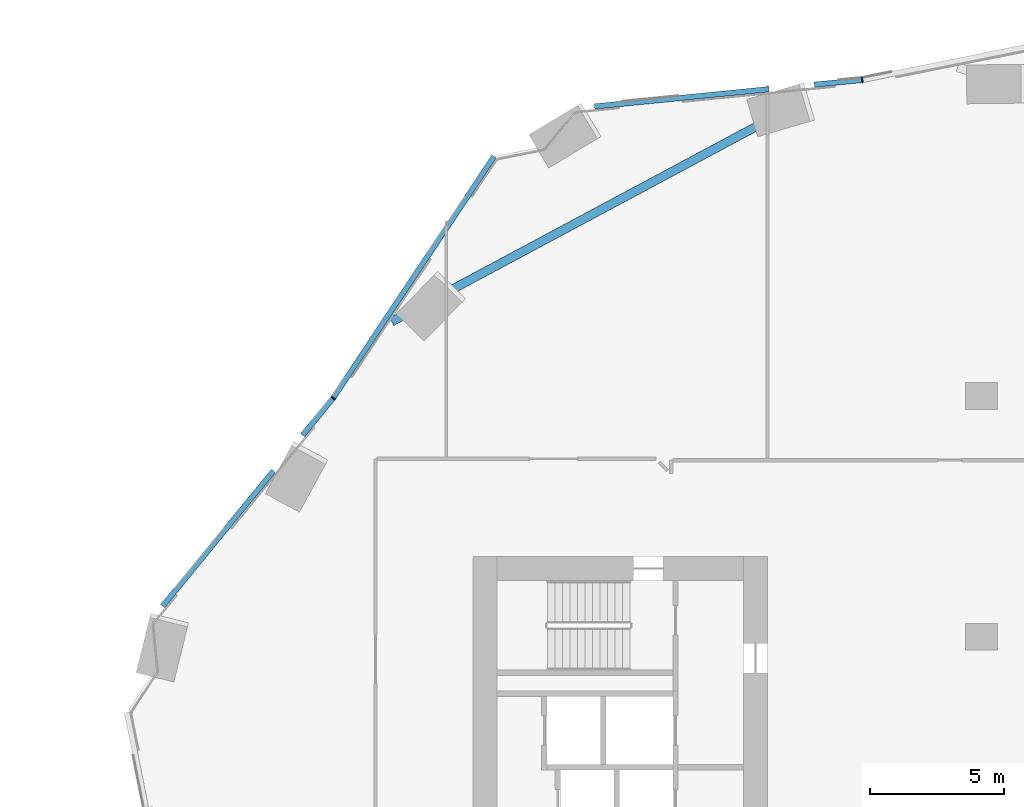
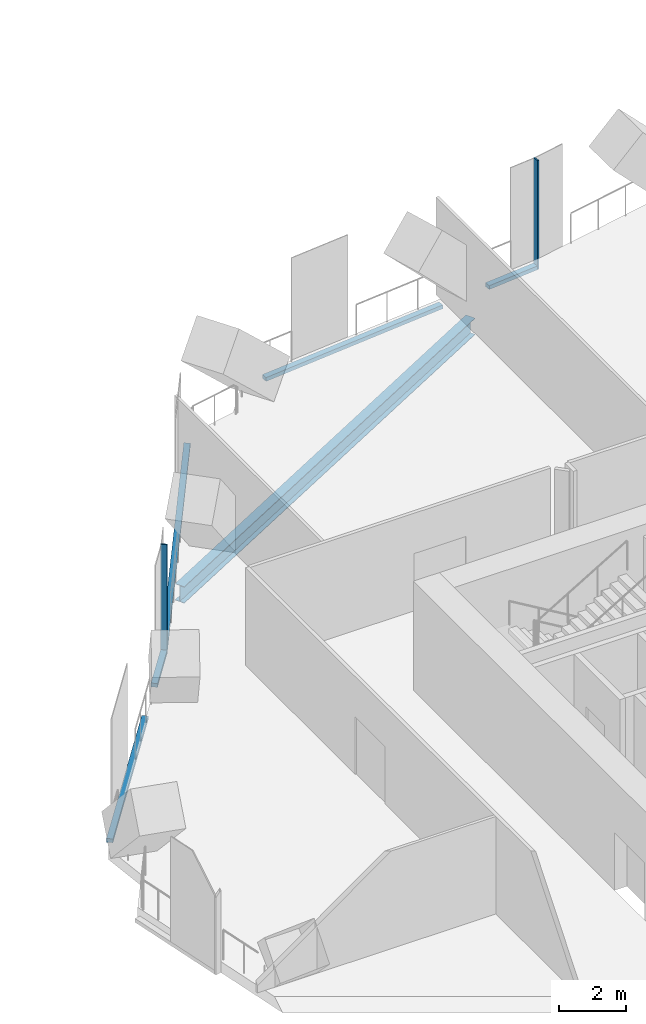
# One storey, part 12 of 31: 7 members, 1 beam, 4 elements without a shape of their own.
"""IFC4 building model written with IfcOpenShell, lengths in metres."""

from ifc_helpers import new_model, si_unit, direction, frame, origin, origin_2d, place, context, subcontext, project, spatial, rectangle, i_section, extrude, material, material_profile, profile_set, type_object, element, aggregate, save


model = new_model("IFC4")

# Units and contexts
model_context = context("Model", 3, precision=1e-05, world=origin(), true_north=direction((0.0, 1.0)))
body_context = subcontext(model_context, "Body", "Model", "MODEL_VIEW")
ifc_project = project(units=[si_unit("LENGTHUNIT", "METRE"), si_unit("AREAUNIT", "SQUARE_METRE"), si_unit("VOLUMEUNIT", "CUBIC_METRE"), si_unit("PLANEANGLEUNIT", "RADIAN"), si_unit("MASSUNIT", "GRAM", prefix="KILO")], contexts=[model_context])

# Site, building, storey
site_placement = place(None, origin())
site = spatial("IfcSite", under=ifc_project, at=site_placement, CompositionType="ELEMENT")
building_placement = place(site_placement, origin())
building = spatial("IfcBuilding", under=site, at=building_placement, Name="Orlundy Tower", CompositionType="ELEMENT")
storey_placement = place(building_placement, frame((0.0, 0.0, 54.800048828125)))
storey = spatial("IfcBuildingStorey", under=building, at=storey_placement, Name="L12", CompositionType="ELEMENT", Elevation=54.800048828125)

# Beam
ifc_material_1 = material(Name="Steel ASTM A992 Gr 50", Category="steel")
ifc_material_profile_1 = material_profile(ifc_material_1, i_section(OverallWidth=0.32373046875, OverallDepth=0.611083984375, WebThickness=0.0126953125, FlangeThickness=0.01904296875, at=origin_2d()), Name="W24X104")
ifc_profile_set_1 = profile_set([ifc_material_profile_1], Name="Steel ASTM A992 Gr 50")
beam_type = type_object("IfcBeamType", Name="CANTILEVER GIRDER beam W24X104", PredefinedType="BEAM", material=ifc_profile_set_1)
beam_placement = place(storey_placement, frame((-22.041015625, 20.7705078125, -0.70556640625), z_axis=(0.881559918095, 0.472072145766, 0.0), x_axis=(-0.472072145766, 0.881559918095, 0.0)))
element("IfcBeam", 1, at=beam_placement, inside=storey, type_object=beam_type, Name="Cantilever girder C-H18 L12", PredefinedType="BEAM", context=body_context, shape_type="SweptSolid", body=[
    extrude(i_section(OverallWidth=0.32373046875, OverallDepth=0.611083984375, WebThickness=0.0126953125, FlangeThickness=0.01904296875, at=origin_2d()), origin(), (0.0, 0.0, 1.0), 16.5673828125),
])

# Curtain wall, member
ifc_material_2 = material(Name="Aluminium bronze anodised", Category="aluminium")
curtain_wall_type = type_object("IfcCurtainWallType", Name="CW5 wall", PredefinedType="NOTDEFINED", material=ifc_material_2)
curtain_wall_1_placement = place(storey_placement, origin())
curtain_wall_1 = element("IfcCurtainWall", 2, at=curtain_wall_1_placement, inside=storey, type_object=curtain_wall_type, Name="CW5 run 017", PredefinedType="NOTDEFINED")
ifc_material_3 = material(Name="Aluminium bronze anodised", Category="aluminium")
ifc_material_profile_2 = material_profile(ifc_material_3, rectangle(XDim=0.199951171875, YDim=0.050048828125, at=origin_2d()), Name="CW5 mullion 50x200")
ifc_profile_set_2 = profile_set([ifc_material_profile_2], Name="Aluminium bronze anodised")
member_type_1 = type_object("IfcMemberType", Name="CW5 mullion 50x200", PredefinedType="MULLION", material=ifc_profile_set_2)
member_1_placement = place(storey_placement, frame((-24.2294921875, 17.920654296875, -0.400146484375), z_axis=(0.0, 0.0, 1.0), x_axis=(-0.803863766705, 0.594813453596, 0.0)))
member_1 = element("IfcMember", 3, at=member_1_placement, type_object=member_type_1, Name="CW5 mullion 32", PredefinedType="MULLION", context=body_context, shape_type="SweptSolid", body=[
    extrude(rectangle(XDim=0.199951171875, YDim=0.050048828125, at=origin_2d()), origin(), (0.0, 0.0, 1.0), 4.0),
])

curtain_wall_2_placement = place(storey_placement, origin())
curtain_wall_2 = element("IfcCurtainWall", 4, at=curtain_wall_2_placement, inside=storey, type_object=curtain_wall_type, Name="CW5 run 021", PredefinedType="NOTDEFINED")
member_2_placement = place(storey_placement, frame((-4.457763671875, 29.804931640625, -0.400146484375), z_axis=(0.0, 0.0, 1.0), x_axis=(-0.147807989638, 0.989016075804, 0.0)))
member_2 = element("IfcMember", 5, at=member_2_placement, type_object=member_type_1, Name="CW5 mullion 38", PredefinedType="MULLION", context=body_context, shape_type="SweptSolid", body=[
    extrude(rectangle(XDim=0.199951171875, YDim=0.050048828125, at=origin_2d()), origin(), (0.0, 0.0, 1.0), 4.0),
])
aggregate(curtain_wall_2, [member_2])

# Curtain wall, members
curtain_wall_3_placement = place(storey_placement, origin())
curtain_wall_3 = element("IfcCurtainWall", 6, at=curtain_wall_3_placement, inside=storey, type_object=curtain_wall_type, Name="CW5 run 016", PredefinedType="NOTDEFINED")
ifc_material_4 = material(Name="Aluminium bronze anodised", Category="aluminium")
ifc_material_profile_3 = material_profile(ifc_material_4, rectangle(XDim=0.199951171875, YDim=0.139892578125, at=origin_2d()), Name="CW5 transom 200x140")
ifc_profile_set_3 = profile_set([ifc_material_profile_3], Name="Aluminium bronze anodised")
member_type_2 = type_object("IfcMemberType", Name="CW5 transom 200x140", PredefinedType="USERDEFINED", material=ifc_profile_set_3)
member_3_placement = place(storey_placement, frame((-30.6005859375, 10.145751953125, -0.330078125), z_axis=(0.633819506363, 0.773480984481, 0.0), x_axis=(-0.773480984481, 0.633819506363, 0.0)))
member_3 = element("IfcMember", 7, at=member_3_placement, type_object=member_type_2, Name="CW5 transom", ObjectType="TRANSOM", PredefinedType="USERDEFINED", context=body_context, shape_type="SweptSolid", body=[
    extrude(rectangle(XDim=0.199951171875, YDim=0.139892578125, at=origin_2d()), origin(), (0.0, 0.0, 1.0), 6.534423828125),
])
member_4_placement = place(storey_placement, frame((-25.371337890625, 16.52734375, -0.330078125), z_axis=(0.633903695393, 0.773411989154, 0.0), x_axis=(-0.773411989154, 0.633903695393, 0.0)))
member_4 = element("IfcMember", 8, at=member_4_placement, type_object=member_type_2, Name="CW5 transom", ObjectType="TRANSOM", PredefinedType="USERDEFINED", context=body_context, shape_type="SweptSolid", body=[
    extrude(rectangle(XDim=0.199951171875, YDim=0.139892578125, at=origin_2d()), origin(), (0.0, 0.0, 1.0), 1.7763671875),
])
aggregate(curtain_wall_3, [member_3, member_4])

# Member
member_5_placement = place(storey_placement, frame((-24.215576171875, 17.94140625, -0.330078125), z_axis=(0.554330378391, 0.832296720883, 0.0), x_axis=(-0.832296720883, 0.554330378391, 0.0)))
member_5 = element("IfcMember", 9, at=member_5_placement, type_object=member_type_2, Name="CW5 transom", ObjectType="TRANSOM", PredefinedType="USERDEFINED", context=body_context, shape_type="SweptSolid", body=[
    extrude(rectangle(XDim=0.199951171875, YDim=0.139892578125, at=origin_2d()), origin(), (0.0, 0.0, 1.0), 10.818115234375),
])

aggregate(curtain_wall_1, [member_1, member_5])

# Curtain wall, members
curtain_wall_4_placement = place(storey_placement, origin())
curtain_wall_4 = element("IfcCurtainWall", 10, at=curtain_wall_4_placement, inside=storey, type_object=curtain_wall_type, Name="CW5 run 020", PredefinedType="NOTDEFINED")
member_6_placement = place(storey_placement, frame((-14.462890625, 28.812255859375, -0.330078125), z_axis=(0.995111640107, 0.098756385732, 0.0), x_axis=(-0.098756385732, 0.995111640107, 0.0)))
member_6 = element("IfcMember", 11, at=member_6_placement, type_object=member_type_2, Name="CW5 transom", ObjectType="TRANSOM", PredefinedType="USERDEFINED", context=body_context, shape_type="SweptSolid", body=[
    extrude(rectangle(XDim=0.199951171875, YDim=0.139892578125, at=origin_2d()), origin(), (0.0, 0.0, 1.0), 6.533935546875),
])
member_7_placement = place(storey_placement, frame((-6.253173828125, 29.626953125, -0.330078125), z_axis=(0.995121067868, 0.098661341395, 0.0), x_axis=(-0.098661341395, 0.995121067868, 0.0)))
member_7 = element("IfcMember", 12, at=member_7_placement, type_object=member_type_2, Name="CW5 transom", ObjectType="TRANSOM", PredefinedType="USERDEFINED", context=body_context, shape_type="SweptSolid", body=[
    extrude(rectangle(XDim=0.199951171875, YDim=0.139892578125, at=origin_2d()), origin(), (0.0, 0.0, 1.0), 1.779296875),
])
aggregate(curtain_wall_4, [member_6, member_7])

save(model, "model.ifc")
